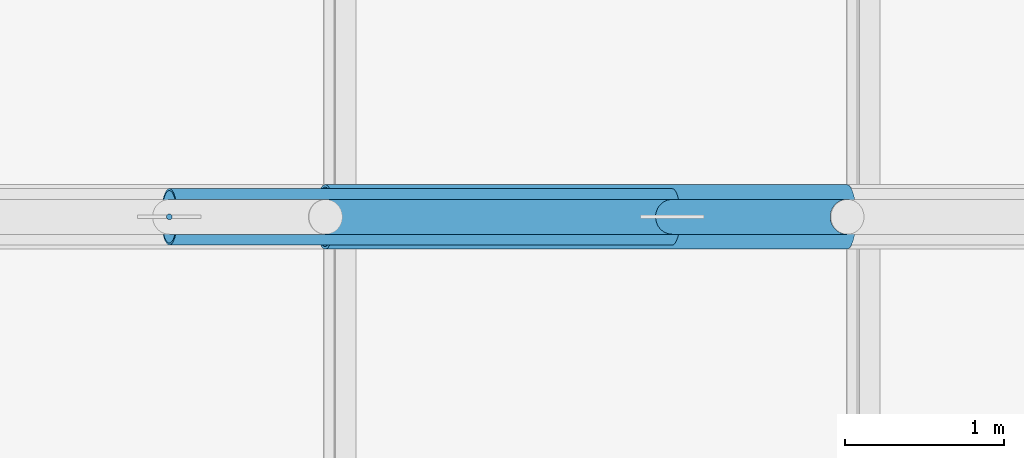
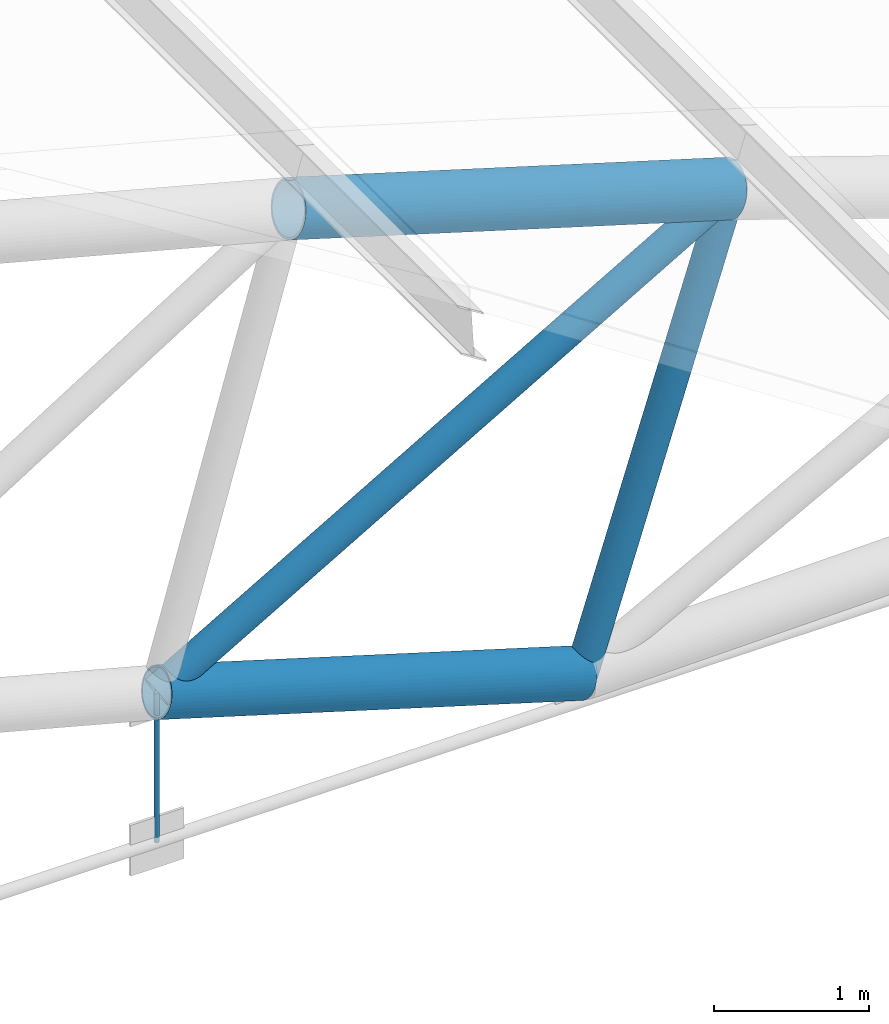
# One storey, part 49 of 321: 5 members.
"""IFC4 building model written with IfcOpenShell, lengths in metres."""

from ifc_helpers import new_model, si_unit, direction, frame, origin, origin_2d, place, context, subcontext, project, spatial, circle, hollow_circle, extrude, material, material_profile, profile_set, type_object, element, save


model = new_model("IFC4")

# Units and contexts
model_context = context("Model", 3, precision=1e-05, world=origin(), true_north=direction((0.0, 1.0)))
body_context = subcontext(model_context, "Body", "Model", "MODEL_VIEW")
ifc_project = project(units=[si_unit("LENGTHUNIT", "METRE"), si_unit("AREAUNIT", "SQUARE_METRE"), si_unit("VOLUMEUNIT", "CUBIC_METRE"), si_unit("PLANEANGLEUNIT", "RADIAN"), si_unit("MASSUNIT", "GRAM", prefix="KILO")], contexts=[model_context])

# Site, building, storey
site_placement = place(None, origin())
site = spatial("IfcSite", under=ifc_project, at=site_placement, CompositionType="ELEMENT")
building_placement = place(site_placement, origin())
building = spatial("IfcBuilding", under=site, at=building_placement, Name="Ravi Spectrum Wholesale Market", CompositionType="ELEMENT")
storey_placement = place(building_placement, frame((0.0, 0.0, 10.800048828125)))
storey = spatial("IfcBuildingStorey", under=building, at=storey_placement, Name="L02", CompositionType="ELEMENT", Elevation=10.800048828125)

# Members
ifc_material_1 = material(Name="Steel S355", Category="steel")
ifc_material_profile_1 = material_profile(ifc_material_1, hollow_circle(Radius=0.109619140625, WallThickness=0.008056640625, at=origin_2d()))
ifc_profile_set_1 = profile_set([ifc_material_profile_1], Name="Steel S355")
member_type_1 = type_object("IfcMemberType", Name="CHS 219.1x8 brace", PredefinedType="BRACE", material=ifc_profile_set_1)
member_1_placement = place(storey_placement, frame((100.380615234375, 54.0, 3.645263671875), z_axis=(-0.865160555252, 0.0, -0.501494978675), x_axis=(0.0, -1.0, 0.0)))
element("IfcMember", 1, at=member_1_placement, inside=storey, type_object=member_type_1, Name="H1-MB-L02-253", PredefinedType="BRACE", context=body_context, shape_type="SweptSolid", body=[
    extrude(hollow_circle(Radius=0.109619140625, WallThickness=0.008056640625, at=origin_2d()), origin(), (0.0, 0.0, 1.0), 4.9296875),
])
ifc_material_2 = material(Name="Steel S355", Category="steel")
ifc_material_profile_2 = material_profile(ifc_material_2, hollow_circle(Radius=0.109619140625, WallThickness=0.008056640625, at=origin_2d()))
ifc_profile_set_2 = profile_set([ifc_material_profile_2], Name="Steel S355")
member_type_2 = type_object("IfcMemberType", Name="CHS 219.1x8 post", PredefinedType="POST", material=ifc_profile_set_2)
member_2_placement = place(storey_placement, frame((100.380615234375, 54.0, 3.645263671875), z_axis=(-0.305506444581, 0.0, -0.952190008517), x_axis=(0.0, -1.0, 0.0)))
element("IfcMember", 2, at=member_2_placement, inside=storey, type_object=member_type_2, Name="H1-MB-L02-231", PredefinedType="POST", context=body_context, shape_type="SweptSolid", body=[
    extrude(hollow_circle(Radius=0.109619140625, WallThickness=0.008056640625, at=origin_2d()), origin(), (0.0, 0.0, 1.0), 3.60009765625),
])
ifc_material_3 = material(Name="Steel S355", Category="steel")
ifc_material_profile_3 = material_profile(ifc_material_3, hollow_circle(Radius=0.177734375, WallThickness=0.012451171875, at=origin_2d()))
ifc_profile_set_3 = profile_set([ifc_material_profile_3], Name="Steel S355")
member_type_3 = type_object("IfcMemberType", Name="CHS 355.6x12.5 chord", PredefinedType="CHORD", material=ifc_profile_set_3)
member_3_placement = place(storey_placement, frame((96.11572265625, 54.0, 1.173095703125), z_axis=(0.957300337613, 0.0, -0.289095250058), x_axis=(0.0, 1.0, 0.0)))
element("IfcMember", 3, at=member_3_placement, inside=storey, type_object=member_type_3, Name="H1-MB-L02-207", PredefinedType="CHORD", context=body_context, shape_type="SweptSolid", body=[
    extrude(hollow_circle(Radius=0.177734375, WallThickness=0.012451171875, at=origin_2d()), origin(), (0.0, 0.0, 1.0), 3.30615234375),
])
ifc_material_4 = material(Name="Steel S355", Category="steel")
ifc_material_profile_4 = material_profile(ifc_material_4, hollow_circle(Radius=0.203125, WallThickness=0.01611328125, at=origin_2d()))
ifc_profile_set_4 = profile_set([ifc_material_profile_4], Name="Steel S355")
member_type_4 = type_object("IfcMemberType", Name="CHS 406.4x16 chord", PredefinedType="CHORD", material=ifc_profile_set_4)
member_4_placement = place(storey_placement, frame((97.096923828125, 54.0, 4.63671875), z_axis=(0.957315448633, 0.0, -0.289045207204), x_axis=(0.0, 1.0, 0.0)))
element("IfcMember", 4, at=member_4_placement, inside=storey, type_object=member_type_4, Name="H1-MB-L02-183", PredefinedType="CHORD", context=body_context, shape_type="SweptSolid", body=[
    extrude(hollow_circle(Radius=0.203125, WallThickness=0.01611328125, at=origin_2d()), origin(), (0.0, 0.0, 1.0), 3.43017578125),
])
ifc_material_5 = material(Name="Steel S355", Category="steel")
ifc_material_profile_5 = material_profile(ifc_material_5, circle(Radius=0.01806640625, at=origin_2d()))
ifc_profile_set_5 = profile_set([ifc_material_profile_5], Name="Steel S355")
member_type_5 = type_object("IfcMemberType", Name="ROD 36 hanger", PredefinedType="STRUT", material=ifc_profile_set_5)
member_5_placement = place(storey_placement, frame((96.11572265625, 54.0, 0.0), z_axis=(0.0, 0.0, 1.0), x_axis=(1.0, 0.0, 0.0)))
element("IfcMember", 5, at=member_5_placement, inside=storey, type_object=member_type_5, Name="H1-MB-L02-261", PredefinedType="STRUT", context=body_context, shape_type="SweptSolid", body=[
    extrude(circle(Radius=0.01806640625, at=origin_2d()), origin(), (0.0, 0.0, 1.0), 1.173095703125),
])

save(model, "model.ifc")
